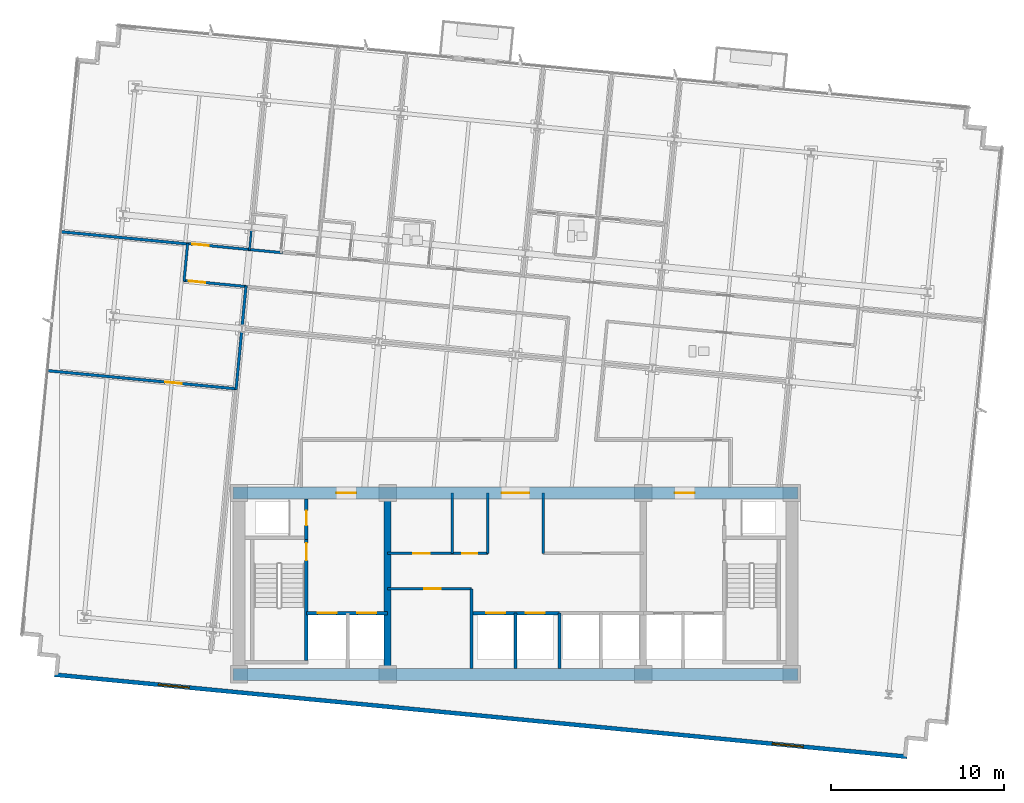
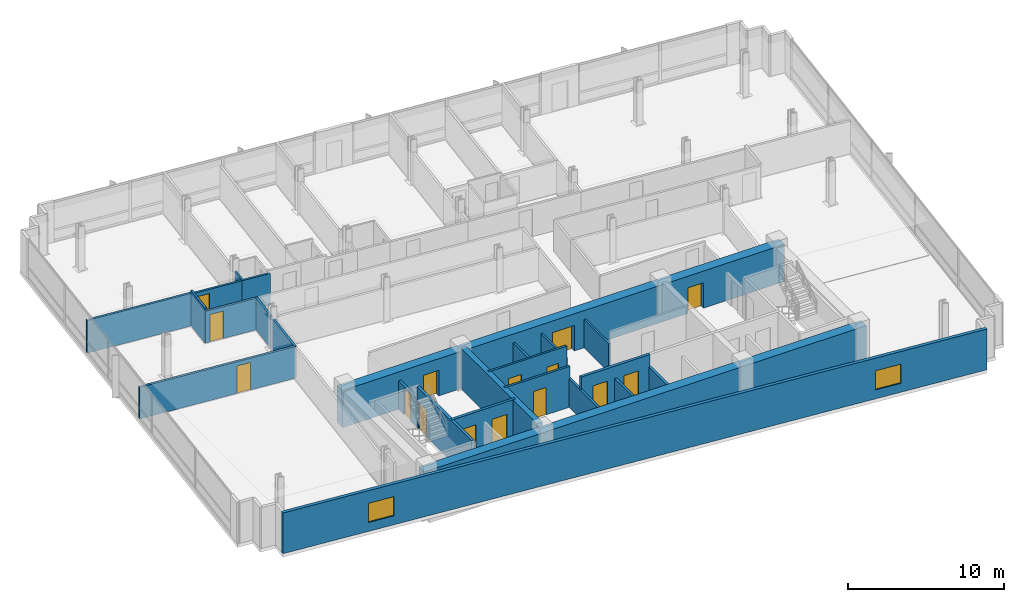
# One storey, part 10 of 17: 25 walls, 15 doors, 2 windows, 17 openings.
"""IFC4 building model written with IfcOpenShell, lengths in metres."""

from ifc_helpers import new_model, si_unit, direction, frame, frame_2d, origin, place, context, subcontext, project, spatial, rectangle, extrude, material, layer, layer_set, type_object, element, fill, save


model = new_model("IFC4")

# Units and contexts
model_context = context("Model", 3, precision=1e-05, world=origin(), true_north=direction((0.0, 1.0)))
body_context = subcontext(model_context, "Body", "Model", "MODEL_VIEW")
ifc_project = project(units=[si_unit("LENGTHUNIT", "METRE"), si_unit("AREAUNIT", "SQUARE_METRE"), si_unit("VOLUMEUNIT", "CUBIC_METRE"), si_unit("PLANEANGLEUNIT", "RADIAN"), si_unit("MASSUNIT", "GRAM", prefix="KILO")], contexts=[model_context])

# Site, building, storey
site_placement = place(None, origin())
site = spatial("IfcSite", under=ifc_project, at=site_placement, CompositionType="ELEMENT")
building_placement = place(site_placement, origin())
building = spatial("IfcBuilding", under=site, at=building_placement, Name="Solmavex Isthmus Hotel", CompositionType="ELEMENT")
storey_placement = place(building_placement, frame((0.0, 0.0, 153.14990234375)))
storey = spatial("IfcBuildingStorey", under=building, at=storey_placement, Name="L41", CompositionType="ELEMENT", Elevation=153.14990234375)

# Wall, openings, windows
ifc_material_1 = material(Name="Precast Concrete C40/50", Category="concrete")
ifc_layer_1 = layer(ifc_material_1, 0.25)
ifc_layer_set_1 = layer_set([ifc_layer_1], Name="Precast Concrete C40/50")
wall_type_1 = type_object("IfcWallType", Name="EW-TWR-250", PredefinedType="STANDARD", material=ifc_layer_set_1)
wall_1_placement = place(storey_placement, frame((-26.6953125, -13.01611328125, 0.0), z_axis=(0.0, 0.0, 1.0), x_axis=(0.995396268366, -0.095845025554, 0.0)))
wall_1 = element("IfcWall", 1, at=wall_1_placement, inside=storey, type_object=wall_type_1, Name="Tower Rear South Facade Wall L41", PredefinedType="STANDARD", context=body_context, shape_type="SweptSolid", body=[
    extrude(rectangle(XDim=49.599853515625, YDim=0.239990234375, at=frame_2d((24.7998046875, 0.0))), origin(), (0.0, 0.0, 1.0), 3.190185546875),
])
opening_1_placement = place(wall_1_placement, frame((6.0439453125, 0.0, 0.699951171875)))
opening_1 = element("IfcOpeningElement", 2, at=opening_1_placement, cuts=wall_1, Name="Opening WN-02", PredefinedType="OPENING", context=body_context, shape_type="SweptSolid", body=[
    extrude(rectangle(XDim=1.800048828125, YDim=1.5, at=frame_2d((0.89990234375, 0.75))), frame((0.0, 0.1298828125, 0.0), z_axis=(0.0, -1.0, 0.0), x_axis=(1.0, 0.0, 0.0)), (0.0, 0.0, 1.0), 0.260009765625),
])
opening_2_placement = place(wall_1_placement, frame((41.756103515625, 0.0, 0.699951171875)))
opening_2 = element("IfcOpeningElement", 3, at=opening_2_placement, cuts=wall_1, Name="Opening WN-02", PredefinedType="OPENING", context=body_context, shape_type="SweptSolid", body=[
    extrude(rectangle(XDim=1.800048828125, YDim=1.5, at=frame_2d((0.89990234375, 0.75))), frame((0.0, 0.1298828125, 0.0), z_axis=(0.0, -1.0, 0.0), x_axis=(1.0, 0.0, 0.0)), (0.0, 0.0, 1.0), 0.260009765625),
])
ifc_material_2 = material(Name="Clear low-E laminated glass", Category="glass")
window_type = type_object("IfcWindowType", Name="WIN-TWR-1800", PartitioningType="SINGLE_PANEL", PredefinedType="WINDOW", material=ifc_material_2)
window_1_placement = place(opening_1_placement, origin())
window_1 = element("IfcWindow", 4, at=window_1_placement, inside=storey, type_object=window_type, Name="South Facade Vision Window L41-S1", OverallHeight=1.5, OverallWidth=1.800048828125, PartitioningType="SINGLE_PANEL", PredefinedType="WINDOW", context=body_context, shape_type="SweptSolid", body=[
    extrude(rectangle(XDim=1.800048828125, YDim=1.5, at=frame_2d((0.89990234375, 0.75))), frame((0.0, 0.030029296875, 0.0), z_axis=(0.0, -1.0, 0.0), x_axis=(1.0, 0.0, 0.0)), (0.0, 0.0, 1.0), 0.06005859375),
])
fill(opening_1, window_1)
window_2_placement = place(opening_2_placement, origin())
window_2 = element("IfcWindow", 5, at=window_2_placement, inside=storey, type_object=window_type, Name="South Facade Vision Window L41-S2", OverallHeight=1.5, OverallWidth=1.800048828125, PartitioningType="SINGLE_PANEL", PredefinedType="WINDOW", context=body_context, shape_type="SweptSolid", body=[
    extrude(rectangle(XDim=1.800048828125, YDim=1.5, at=frame_2d((0.89990234375, 0.75))), frame((0.0, 0.030029296875, 0.0), z_axis=(0.0, -1.0, 0.0), x_axis=(1.0, 0.0, 0.0)), (0.0, 0.0, 1.0), 0.06005859375),
])
fill(opening_2, window_2)

# Wall, opening, door
ifc_material_3 = material(Name="Gypsum plasterboard lining", Category="gypsum")
ifc_layer_2 = layer(ifc_material_3, 0.159912109375)
ifc_layer_set_2 = layer_set([ifc_layer_2], Name="Gypsum plasterboard lining")
wall_type_2 = type_object("IfcWallType", Name="IW-COMP-160", PredefinedType="PARTITIONING", material=ifc_layer_set_2)
wall_2_placement = place(storey_placement, frame((-7.39990234375, -8.050048828125, 0.0), z_axis=(0.0, 0.0, 1.0), x_axis=(1.0, 0.0, 0.0)))
wall_2 = element("IfcWall", 6, at=wall_2_placement, inside=storey, type_object=wall_type_2, Name="Interior Partition Wall W-L41-REC-PLL-N", PredefinedType="PARTITIONING", context=body_context, shape_type="SweptSolid", body=[
    extrude(rectangle(XDim=4.849853515625, YDim=0.159912109375, at=frame_2d((2.4248046875, 0.0))), origin(), (0.0, 0.0, 1.0), 3.190185546875),
])
opening_3_placement = place(wall_2_placement, frame((2.125, 0.0, 0.0)))
opening_3 = element("IfcOpeningElement", 7, at=opening_3_placement, cuts=wall_2, Name="Opening ID-C095", PredefinedType="OPENING", context=body_context, shape_type="SweptSolid", body=[
    extrude(rectangle(XDim=0.949951171875, YDim=2.14990234375, at=frame_2d((0.47509765625, 1.074951171875))), frame((0.0, 0.08984375, 0.0), z_axis=(0.0, -1.0, 0.0), x_axis=(1.0, 0.0, 0.0)), (0.0, 0.0, 1.0), 0.179931640625),
])
ifc_material_4 = material(Name="Hardwood timber", Category="wood")
door_type_1 = type_object("IfcDoorType", Name="IDR-FD60-0950", OperationType="NOTDEFINED", PredefinedType="DOOR", material=ifc_material_4)
door_1_placement = place(opening_3_placement, origin())
door_1 = element("IfcDoor", 8, at=door_1_placement, inside=storey, type_object=door_type_1, Name="Linen Reserve Door L41", OperationType="SINGLE_SWING_LEFT", OverallHeight=2.14990234375, OverallWidth=0.949951171875, PredefinedType="DOOR", context=body_context, shape_type="SweptSolid", body=[
    extrude(rectangle(XDim=0.949951171875, YDim=2.14990234375, at=frame_2d((0.47509765625, 1.074951171875))), frame((0.0, 0.02490234375, 0.0), z_axis=(0.0, -1.0, 0.0), x_axis=(1.0, 0.0, 0.0)), (0.0, 0.0, 1.0), 0.050048828125),
])
fill(opening_3, door_1)

# Walls
wall_3_placement = place(storey_placement, frame((-2.550048828125, -12.64990234375, 0.0), z_axis=(0.0, 0.0, 1.0), x_axis=(0.0, 1.0, 0.0)))
element("IfcWall", 9, at=wall_3_placement, inside=storey, type_object=wall_type_2, Name="Interior Partition Wall W-L41-REC-PLL-E", PredefinedType="PARTITIONING", context=body_context, shape_type="SweptSolid", body=[
    extrude(rectangle(XDim=4.599853515625, YDim=0.159912109375, at=frame_2d((2.2998046875, 0.0))), origin(), (0.0, 0.0, 1.0), 2.22509765625),
])
wall_4_placement = place(storey_placement, frame((-18.942138671875, 11.91552734375, 0.0), z_axis=(0.0, 0.0, 1.0), x_axis=(-0.995395927026, 0.095848570461, 0.0)))
element("IfcWall", 10, at=wall_4_placement, inside=storey, type_object=wall_type_2, Name="Interior Partition Wall W-L41-P027", PredefinedType="PARTITIONING", context=body_context, shape_type="SweptSolid", body=[
    extrude(rectangle(XDim=7.44775390625, YDim=0.159912109375, at=frame_2d((3.723876953125, 0.0))), origin(), (0.0, 0.0, 1.0), 2.5576171875),
])
wall_5_placement = place(storey_placement, frame((-15.820556640625, 7.190673828125, 0.0), z_axis=(0.0, 0.0, 1.0), x_axis=(0.09580488871, 0.995400132258, 0.0)))
element("IfcWall", 11, at=wall_5_placement, inside=storey, type_object=wall_type_2, Name="Interior Partition Wall W-L41-P059", PredefinedType="PARTITIONING", context=body_context, shape_type="SweptSolid", body=[
    extrude(rectangle(XDim=2.31396484375, YDim=0.159912109375, at=frame_2d((1.156982421875, 0.0))), origin(), (0.0, 0.0, 1.0), 2.4794921875),
])
wall_6_placement = place(storey_placement, frame((-15.854248046875, 6.84033203125, 0.0), z_axis=(0.0, 0.0, 1.0), x_axis=(-0.095867281951, -0.995394125084, 0.0)))
element("IfcWall", 12, at=wall_6_placement, inside=storey, type_object=wall_type_2, Name="Interior Partition Wall W-L41-P064", PredefinedType="PARTITIONING", context=body_context, shape_type="SweptSolid", body=[
    extrude(rectangle(XDim=3.364013671875, YDim=0.159912109375, at=frame_2d((1.68212890625, 0.0))), origin(), (0.0, 0.0, 1.0), 2.4794921875),
])

# Wall, opening, door
wall_7_placement = place(storey_placement, frame((-16.133056640625, 3.52783203125, 0.0), z_axis=(0.0, 0.0, 1.0), x_axis=(-0.99539691551, 0.095838304419, 0.0)))
wall_7 = element("IfcWall", 13, at=wall_7_placement, inside=storey, type_object=wall_type_2, Name="Interior Partition Wall W-L41-P065", PredefinedType="PARTITIONING", context=body_context, shape_type="SweptSolid", body=[
    extrude(rectangle(XDim=11.048095703125, YDim=0.159912109375, at=frame_2d((5.52392578125, 0.0))), origin(), (0.0, 0.0, 1.0), 2.4794921875),
])
opening_4_placement = place(wall_7_placement, frame((3.206298828125, 0.0, 0.0)))
opening_4 = element("IfcOpeningElement", 14, at=opening_4_placement, cuts=wall_7, Name="Opening ID-C095", PredefinedType="OPENING", context=body_context, shape_type="SweptSolid", body=[
    extrude(rectangle(XDim=0.949951171875, YDim=2.14990234375, at=frame_2d((0.47509765625, 1.074951171875))), frame((0.0, 0.08984375, 0.0), z_axis=(0.0, -1.0, 0.0), x_axis=(1.0, 0.0, 0.0)), (0.0, 0.0, 1.0), 0.179931640625),
])
door_2_placement = place(opening_4_placement, origin())
door_2 = element("IfcDoor", 15, at=door_2_placement, inside=storey, type_object=door_type_1, Name="Corporate Briefing Office Door L41-19", OperationType="SINGLE_SWING_LEFT", OverallHeight=2.14990234375, OverallWidth=0.949951171875, PredefinedType="DOOR", context=body_context, shape_type="SweptSolid", body=[
    extrude(rectangle(XDim=0.949951171875, YDim=2.14990234375, at=frame_2d((0.47509765625, 1.074951171875))), frame((0.0, 0.02490234375, 0.0), z_axis=(0.0, -1.0, 0.0), x_axis=(1.0, 0.0, 0.0)), (0.0, 0.0, 1.0), 0.050048828125),
])
fill(opening_4, door_2)

# Wall, openings, doors
ifc_layer_3 = layer(ifc_material_3, 0.14990234375)
ifc_layer_set_3 = layer_set([ifc_layer_3], Name="Gypsum plasterboard lining")
wall_type_3 = type_object("IfcWallType", Name="IW-CORR-150", PredefinedType="PARTITIONING", material=ifc_layer_set_3)
wall_8_placement = place(storey_placement, frame((-7.39990234375, -6.0, 0.0), z_axis=(0.0, 0.0, 1.0), x_axis=(1.0, 0.0, 0.0)))
wall_8 = element("IfcWall", 16, at=wall_8_placement, inside=storey, type_object=wall_type_3, Name="Interior Partition Wall W-L41-BOH-WS", PredefinedType="PARTITIONING", context=body_context, shape_type="SweptSolid", body=[
    extrude(rectangle(XDim=5.7998046875, YDim=0.14990234375, at=frame_2d((2.89990234375, 0.0))), origin(), (0.0, 0.0, 1.0), 3.190185546875),
])
opening_5_placement = place(wall_8_placement, frame((1.47509765625, 0.0, 0.0)))
opening_5 = element("IfcOpeningElement", 17, at=opening_5_placement, cuts=wall_8, Name="Opening ID-C095", PredefinedType="OPENING", context=body_context, shape_type="SweptSolid", body=[
    extrude(rectangle(XDim=0.949951171875, YDim=2.14990234375, at=frame_2d((0.47509765625, 1.074951171875))), frame((0.0, 0.0849609375, 0.0), z_axis=(0.0, -1.0, 0.0), x_axis=(1.0, 0.0, 0.0)), (0.0, 0.0, 1.0), 0.169921875),
])
opening_6_placement = place(wall_8_placement, frame((4.324951171875, 0.0, 0.0)))
opening_6 = element("IfcOpeningElement", 18, at=opening_6_placement, cuts=wall_8, Name="Opening ID-R085", PredefinedType="OPENING", context=body_context, shape_type="SweptSolid", body=[
    extrude(rectangle(XDim=0.85009765625, YDim=2.050048828125, at=frame_2d((0.425048828125, 1.02490234375))), frame((0.0, 0.0849609375, 0.0), z_axis=(0.0, -1.0, 0.0), x_axis=(1.0, 0.0, 0.0)), (0.0, 0.0, 1.0), 0.169921875),
])
ifc_material_5 = material(Name="Steel ASTM A500 Grade C", Category="steel")
door_type_2 = type_object("IfcDoorType", Name="IDR-FD60-0850", OperationType="NOTDEFINED", PredefinedType="DOOR", material=ifc_material_5)
door_3_placement = place(opening_6_placement, frame((0.85009765625, 0.0, 0.0), z_axis=(0.0, 0.0, 1.0), x_axis=(-1.0, 0.0, 0.0)))
door_3 = element("IfcDoor", 19, at=door_3_placement, inside=storey, type_object=door_type_2, Name="Cleaner Closet Door L41", OperationType="SINGLE_SWING_RIGHT", OverallHeight=2.050048828125, OverallWidth=0.85009765625, PredefinedType="DOOR", context=body_context, shape_type="SweptSolid", body=[
    extrude(rectangle(XDim=0.85009765625, YDim=2.050048828125, at=frame_2d((0.425048828125, 1.02490234375))), frame((0.0, 0.02490234375, 0.0), z_axis=(0.0, -1.0, 0.0), x_axis=(1.0, 0.0, 0.0)), (0.0, 0.0, 1.0), 0.050048828125),
])
fill(opening_6, door_3)
door_4_placement = place(opening_5_placement, frame((0.949951171875, 0.0, 0.0), z_axis=(0.0, 0.0, 1.0), x_axis=(-1.0, 0.0, 0.0)))
door_4 = element("IfcDoor", 20, at=door_4_placement, inside=storey, type_object=door_type_1, Name="Housekeeping Store Door L41", OperationType="SINGLE_SWING_LEFT", OverallHeight=2.14990234375, OverallWidth=0.949951171875, PredefinedType="DOOR", context=body_context, shape_type="SweptSolid", body=[
    extrude(rectangle(XDim=0.949951171875, YDim=2.14990234375, at=frame_2d((0.47509765625, 1.074951171875))), frame((0.0, 0.02490234375, 0.0), z_axis=(0.0, -1.0, 0.0), x_axis=(1.0, 0.0, 0.0)), (0.0, 0.0, 1.0), 0.050048828125),
])
fill(opening_5, door_4)

# Walls
for number, where, z_axis, x_axis, name in (
    (21, (-1.60009765625, -6.0, 0.0), (0.0, 0.0, 1.0), (0.0, 1.0, 0.0), "Interior Partition Wall W-L41-BOH-WE"),
    (22, (1.60009765625, -6.0, 0.0), (0.0, 0.0, 1.0), (0.0, 1.0, 0.0), "Interior Partition Wall W-L41-BOH-EW"),
):
    element("IfcWall", number, at=place(storey_placement, frame(where, z_axis=z_axis, x_axis=x_axis)), inside=storey, type_object=wall_type_3, Name=name, PredefinedType="PARTITIONING", context=body_context, shape_type="SweptSolid", body=[
        extrude(rectangle(XDim=3.5, YDim=0.14990234375, at=frame_2d((1.75, 0.0))), origin(), (0.0, 0.0, 1.0), 2.22509765625),
    ])

# Wall, opening, door
wall_9_placement = place(storey_placement, frame((-19.019775390625, 11.943115234375, 0.0), z_axis=(0.0, 0.0, 1.0), x_axis=(0.995397364202, -0.095833644092, 0.0)))
wall_9 = element("IfcWall", 23, at=wall_9_placement, inside=storey, type_object=wall_type_3, Name="Interior Partition Wall W-L41-P001", PredefinedType="PARTITIONING", context=body_context, shape_type="SweptSolid", body=[
    extrude(rectangle(XDim=3.721923828125, YDim=0.14990234375, at=frame_2d((1.86083984375, 0.0))), origin(), (0.0, 0.0, 1.0), 2.4794921875),
])
opening_7_placement = place(wall_9_placement, frame((0.315185546875, 0.0, 0.0)))
opening_7 = element("IfcOpeningElement", 24, at=opening_7_placement, cuts=wall_9, Name="Opening ID-C095", PredefinedType="OPENING", context=body_context, shape_type="SweptSolid", body=[
    extrude(rectangle(XDim=0.949951171875, YDim=2.14990234375, at=frame_2d((0.47509765625, 1.074951171875))), frame((0.0, 0.0849609375, 0.0), z_axis=(0.0, -1.0, 0.0), x_axis=(1.0, 0.0, 0.0)), (0.0, 0.0, 1.0), 0.169921875),
])
door_5_placement = place(opening_7_placement, frame((0.949951171875, 0.0, 0.0), z_axis=(0.0, 0.0, 1.0), x_axis=(-1.0, 0.0, 0.0)))
door_5 = element("IfcDoor", 25, at=door_5_placement, inside=storey, type_object=door_type_1, Name="Executive Hospitality Lounge Door L41-01", OperationType="SINGLE_SWING_LEFT", OverallHeight=2.14990234375, OverallWidth=0.949951171875, PredefinedType="DOOR", context=body_context, shape_type="SweptSolid", body=[
    extrude(rectangle(XDim=0.949951171875, YDim=2.14990234375, at=frame_2d((0.47509765625, 1.074951171875))), frame((0.0, 0.02490234375, 0.0), z_axis=(0.0, -1.0, 0.0), x_axis=(1.0, 0.0, 0.0)), (0.0, 0.0, 1.0), 0.050048828125),
])
fill(opening_7, door_5)

# Wall
wall_10_placement = place(storey_placement, frame((-15.478271484375, 11.60205078125, 0.0), z_axis=(0.0, 0.0, 1.0), x_axis=(0.995394211968, -0.095866379824, 0.0)))
element("IfcWall", 26, at=wall_10_placement, inside=storey, type_object=wall_type_3, Name="Interior Partition Wall W-L41-P003", PredefinedType="PARTITIONING", context=body_context, shape_type="SweptSolid", body=[
    extrude(rectangle(XDim=1.994140625, YDim=0.14990234375, at=frame_2d((0.9970703125, 0.0))), origin(), (0.0, 0.0, 1.0), 2.4794921875),
])

# Wall, opening, door
wall_11_placement = place(storey_placement, frame((-15.52099609375, 9.4462890625, 0.0), z_axis=(0.0, 0.0, 1.0), x_axis=(-0.995397364202, 0.095833644092, 0.0)))
wall_11 = element("IfcWall", 27, at=wall_11_placement, inside=storey, type_object=wall_type_3, Name="Interior Partition Wall W-L41-P017", PredefinedType="PARTITIONING", context=body_context, shape_type="SweptSolid", body=[
    extrude(rectangle(XDim=3.721923828125, YDim=0.14990234375, at=frame_2d((1.86083984375, 0.0))), origin(), (0.0, 0.0, 1.0), 2.4794921875),
])
opening_8_placement = place(wall_11_placement, frame((2.456787109375, 0.0, 0.0)))
opening_8 = element("IfcOpeningElement", 28, at=opening_8_placement, cuts=wall_11, Name="Opening ID-C095", PredefinedType="OPENING", context=body_context, shape_type="SweptSolid", body=[
    extrude(rectangle(XDim=0.949951171875, YDim=2.14990234375, at=frame_2d((0.47509765625, 1.074951171875))), frame((0.0, 0.0849609375, 0.0), z_axis=(0.0, -1.0, 0.0), x_axis=(1.0, 0.0, 0.0)), (0.0, 0.0, 1.0), 0.169921875),
])
door_6_placement = place(opening_8_placement, frame((0.949951171875, 0.0, 0.0), z_axis=(0.0, 0.0, 1.0), x_axis=(-1.0, 0.0, 0.0)))
door_6 = element("IfcDoor", 29, at=door_6_placement, inside=storey, type_object=door_type_1, Name="Executive Hospitality Lounge Door L41-16", OperationType="SINGLE_SWING_RIGHT", OverallHeight=2.14990234375, OverallWidth=0.949951171875, PredefinedType="DOOR", context=body_context, shape_type="SweptSolid", body=[
    extrude(rectangle(XDim=0.949951171875, YDim=2.14990234375, at=frame_2d((0.47509765625, 1.074951171875))), frame((0.0, 0.02490234375, 0.0), z_axis=(0.0, -1.0, 0.0), x_axis=(1.0, 0.0, 0.0)), (0.0, 0.0, 1.0), 0.050048828125),
])
fill(opening_8, door_6)

# Walls
wall_12_placement = place(storey_placement, frame((-19.18994140625, 9.75927734375, 0.0), z_axis=(0.0, 0.0, 1.0), x_axis=(0.095882898123, 0.995392620953, 0.0)))
element("IfcWall", 30, at=wall_12_placement, inside=storey, type_object=wall_type_3, Name="Interior Partition Wall W-L41-P018", PredefinedType="PARTITIONING", context=body_context, shape_type="SweptSolid", body=[
    extrude(rectangle(XDim=2.210205078125, YDim=0.14990234375, at=frame_2d((1.10498046875, 0.0))), origin(), (0.0, 0.0, 1.0), 2.71826171875),
])
ifc_layer_4 = layer(ifc_material_3, 0.1201171875)
ifc_layer_set_4 = layer_set([ifc_layer_4], Name="Gypsum plasterboard lining")
wall_type_4 = type_object("IfcWallType", Name="IW-PART-120", PredefinedType="PARTITIONING", material=ifc_layer_set_4)
wall_13_placement = place(storey_placement, frame((-3.64990234375, -6.0, 0.0), z_axis=(0.0, 0.0, 1.0), x_axis=(0.0, 1.0, 0.0)))
element("IfcWall", 31, at=wall_13_placement, inside=storey, type_object=wall_type_4, Name="Interior Partition Wall W-L41-BOH-WM1", PredefinedType="PARTITIONING", context=body_context, shape_type="SweptSolid", body=[
    extrude(rectangle(XDim=3.5, YDim=0.14990234375, at=frame_2d((1.75, 0.0))), origin(), (0.0, 0.0, 1.0), 2.22509765625),
])
wall_14_placement = place(storey_placement, frame((-15.2880859375, 12.720947265625, 0.0), z_axis=(0.0, 0.0, 1.0), x_axis=(-0.095831494917, -0.995397571115, 0.0)))
element("IfcWall", 32, at=wall_14_placement, inside=storey, type_object=wall_type_4, Name="Interior Partition Wall W-L41-P026", PredefinedType="PARTITIONING", context=body_context, shape_type="SweptSolid", body=[
    extrude(rectangle(XDim=1.171875, YDim=0.1201171875, at=frame_2d((0.5859375, 0.0))), origin(), (0.0, 0.0, 1.0), 2.4794921875),
])
ifc_material_6 = material(Name="Concrete C40/50", Category="concrete")
ifc_layer_5 = layer(ifc_material_6, 0.179931640625)
ifc_layer_set_5 = layer_set([ifc_layer_5], Name="Concrete C40/50")
wall_type_5 = type_object("IfcWallType", Name="IW-SHAFT-180", PredefinedType="PARTITIONING", material=ifc_layer_set_5)
wall_15_placement = place(storey_placement, frame((0.0, -12.64990234375, 0.0), z_axis=(0.0, 0.0, 1.0), x_axis=(0.0, 1.0, 0.0)))
element("IfcWall", 33, at=wall_15_placement, inside=storey, type_object=wall_type_5, Name="Interior Partition Wall W-L41-SH-PLM-M", PredefinedType="PARTITIONING", context=body_context, shape_type="SweptSolid", body=[
    extrude(rectangle(XDim=3.199951171875, YDim=0.179931640625, at=frame_2d((1.60009765625, 0.0))), origin(), (0.0, 0.0, 1.0), 2.22509765625),
])

# Wall, opening, door
ifc_layer_6 = layer(ifc_material_6, 0.199951171875)
ifc_layer_set_6 = layer_set([ifc_layer_6], Name="Concrete C40/50")
wall_type_6 = type_object("IfcWallType", Name="IW-SHAFT-200", PredefinedType="PARTITIONING", material=ifc_layer_set_6)
wall_16_placement = place(storey_placement, frame((-12.10009765625, -5.199951171875, 0.0), z_axis=(0.0, 0.0, 1.0), x_axis=(0.0, 1.0, 0.0)))
wall_16 = element("IfcWall", 34, at=wall_16_placement, inside=storey, type_object=wall_type_6, Name="Interior Partition Wall W-L41-RSW-E", PredefinedType="PARTITIONING", context=body_context, shape_type="SweptSolid", body=[
    extrude(rectangle(XDim=2.349853515625, YDim=0.199951171875, at=frame_2d((1.1748046875, 0.0))), origin(), (0.0, 0.0, 1.0), 2.22509765625),
])
opening_9_placement = place(wall_16_placement, frame((0.824951171875, 0.0, 0.0)))
opening_9 = element("IfcOpeningElement", 35, at=opening_9_placement, cuts=wall_16, Name="Opening ID-R085", PredefinedType="OPENING", context=body_context, shape_type="SweptSolid", body=[
    extrude(rectangle(XDim=0.85009765625, YDim=2.050048828125, at=frame_2d((0.425048828125, 1.02490234375))), frame((0.0, 0.10986328125, 0.0), z_axis=(0.0, -1.0, 0.0), x_axis=(1.0, 0.0, 0.0)), (0.0, 0.0, 1.0), 0.219970703125),
])
door_7_placement = place(opening_9_placement, origin())
door_7 = element("IfcDoor", 36, at=door_7_placement, inside=storey, type_object=door_type_2, Name="Electrical Riser Door L41", OperationType="SINGLE_SWING_RIGHT", OverallHeight=2.050048828125, OverallWidth=0.85009765625, PredefinedType="DOOR", context=body_context, shape_type="SweptSolid", body=[
    extrude(rectangle(XDim=0.85009765625, YDim=2.050048828125, at=frame_2d((0.425048828125, 1.02490234375))), frame((0.0, 0.02490234375, 0.0), z_axis=(0.0, -1.0, 0.0), x_axis=(1.0, 0.0, 0.0)), (0.0, 0.0, 1.0), 0.050048828125),
])
fill(opening_9, door_7)

# Wall, openings, doors
wall_17_placement = place(storey_placement, frame((-12.10009765625, -9.449951171875, 0.0), z_axis=(0.0, 0.0, 1.0), x_axis=(1.0, 0.0, 0.0)))
wall_17 = element("IfcWall", 37, at=wall_17_placement, inside=storey, type_object=wall_type_6, Name="Interior Partition Wall W-L41-FFLW-S", PredefinedType="PARTITIONING", context=body_context, shape_type="SweptSolid", body=[
    extrude(rectangle(XDim=4.7001953125, YDim=0.199951171875, at=frame_2d((2.35009765625, 0.0))), origin(), (0.0, 0.0, 1.0), 3.190185546875),
])
opening_10_placement = place(wall_17_placement, frame((0.64990234375, 0.0, 0.0)))
opening_10 = element("IfcOpeningElement", 38, at=opening_10_placement, cuts=wall_17, Name="Opening LD-FF", PredefinedType="OPENING", context=body_context, shape_type="SweptSolid", body=[
    extrude(rectangle(XDim=1.10009765625, YDim=2.199951171875, at=frame_2d((0.550048828125, 1.10009765625))), frame((0.0, 0.10986328125, 0.0), z_axis=(0.0, -1.0, 0.0), x_axis=(1.0, 0.0, 0.0)), (0.0, 0.0, 1.0), 0.219970703125),
])
opening_11_placement = place(wall_17_placement, frame((2.949951171875, 0.0, 0.0)))
opening_11 = element("IfcOpeningElement", 39, at=opening_11_placement, cuts=wall_17, Name="Opening LD-SV", PredefinedType="OPENING", context=body_context, shape_type="SweptSolid", body=[
    extrude(rectangle(XDim=1.10009765625, YDim=2.199951171875, at=frame_2d((0.550048828125, 1.10009765625))), frame((0.0, 0.10986328125, 0.0), z_axis=(0.0, -1.0, 0.0), x_axis=(1.0, 0.0, 0.0)), (0.0, 0.0, 1.0), 0.219970703125),
])
ifc_material_7 = material(Name="Stainless steel 316", Category="steel")
door_type_3 = type_object("IfcDoorType", Name="LDR-FF-1100", OperationType="NOTDEFINED", PredefinedType="DOOR", material=ifc_material_7)
door_8_placement = place(opening_10_placement, origin())
door_8 = element("IfcDoor", 40, at=door_8_placement, inside=storey, type_object=door_type_3, Name="Lift Landing Door FFL-1 L41", OperationType="SLIDING_TO_LEFT", OverallHeight=2.199951171875, OverallWidth=1.10009765625, PredefinedType="DOOR", context=body_context, shape_type="SweptSolid", body=[
    extrude(rectangle(XDim=1.10009765625, YDim=2.199951171875, at=frame_2d((0.550048828125, 1.10009765625))), frame((0.0, 0.02490234375, 0.0), z_axis=(0.0, -1.0, 0.0), x_axis=(1.0, 0.0, 0.0)), (0.0, 0.0, 1.0), 0.050048828125),
])
fill(opening_10, door_8)
door_type_4 = type_object("IfcDoorType", Name="LDR-SV-1100", OperationType="NOTDEFINED", PredefinedType="DOOR", material=ifc_material_7)
door_9_placement = place(opening_11_placement, origin())
door_9 = element("IfcDoor", 41, at=door_9_placement, inside=storey, type_object=door_type_4, Name="Lift Landing Door SVL-1 L41", OperationType="SLIDING_TO_RIGHT", OverallHeight=2.199951171875, OverallWidth=1.10009765625, PredefinedType="DOOR", context=body_context, shape_type="SweptSolid", body=[
    extrude(rectangle(XDim=1.10009765625, YDim=2.199951171875, at=frame_2d((0.550048828125, 1.10009765625))), frame((0.0, 0.02490234375, 0.0), z_axis=(0.0, -1.0, 0.0), x_axis=(1.0, 0.0, 0.0)), (0.0, 0.0, 1.0), 0.050048828125),
])
fill(opening_11, door_9)

wall_18_placement = place(storey_placement, frame((-2.550048828125, -9.449951171875, 0.0), z_axis=(0.0, 0.0, 1.0), x_axis=(1.0, 0.0, 0.0)))
wall_18 = element("IfcWall", 42, at=wall_18_placement, inside=storey, type_object=wall_type_6, Name="Interior Partition Wall W-L41-SH-PLM", PredefinedType="PARTITIONING", context=body_context, shape_type="SweptSolid", body=[
    extrude(rectangle(XDim=5.10009765625, YDim=0.199951171875, at=frame_2d((2.550048828125, 0.0))), origin(), (0.0, 0.0, 1.0), 3.190185546875),
])
opening_12_placement = place(wall_18_placement, frame((0.85009765625, 0.0, 0.0)))
opening_12 = element("IfcOpeningElement", 43, at=opening_12_placement, cuts=wall_18, Name="Opening LD-PL", PredefinedType="OPENING", context=body_context, shape_type="SweptSolid", body=[
    extrude(rectangle(XDim=1.10009765625, YDim=2.199951171875, at=frame_2d((0.550048828125, 1.10009765625))), frame((0.0, 0.10986328125, 0.0), z_axis=(0.0, -1.0, 0.0), x_axis=(1.0, 0.0, 0.0)), (0.0, 0.0, 1.0), 0.219970703125),
])
opening_13_placement = place(wall_18_placement, frame((3.14990234375, 0.0, 0.0)))
opening_13 = element("IfcOpeningElement", 44, at=opening_13_placement, cuts=wall_18, Name="Opening LD-PL", PredefinedType="OPENING", context=body_context, shape_type="SweptSolid", body=[
    extrude(rectangle(XDim=1.10009765625, YDim=2.199951171875, at=frame_2d((0.550048828125, 1.10009765625))), frame((0.0, 0.10986328125, 0.0), z_axis=(0.0, -1.0, 0.0), x_axis=(1.0, 0.0, 0.0)), (0.0, 0.0, 1.0), 0.219970703125),
])
door_type_5 = type_object("IfcDoorType", Name="LDR-PL-1100", OperationType="NOTDEFINED", PredefinedType="DOOR", material=ifc_material_7)
door_10_placement = place(opening_12_placement, origin())
door_10 = element("IfcDoor", 45, at=door_10_placement, inside=storey, type_object=door_type_5, Name="Lift Landing Door PLM1 L41", OperationType="SLIDING_TO_RIGHT", OverallHeight=2.199951171875, OverallWidth=1.10009765625, PredefinedType="DOOR", context=body_context, shape_type="SweptSolid", body=[
    extrude(rectangle(XDim=1.10009765625, YDim=2.199951171875, at=frame_2d((0.550048828125, 1.10009765625))), frame((0.0, 0.02490234375, 0.0), z_axis=(0.0, -1.0, 0.0), x_axis=(1.0, 0.0, 0.0)), (0.0, 0.0, 1.0), 0.050048828125),
])
fill(opening_12, door_10)
door_11_placement = place(opening_13_placement, origin())
door_11 = element("IfcDoor", 46, at=door_11_placement, inside=storey, type_object=door_type_5, Name="Lift Landing Door PLM2 L41", OperationType="SLIDING_TO_RIGHT", OverallHeight=2.199951171875, OverallWidth=1.10009765625, PredefinedType="DOOR", context=body_context, shape_type="SweptSolid", body=[
    extrude(rectangle(XDim=1.10009765625, YDim=2.199951171875, at=frame_2d((0.550048828125, 1.10009765625))), frame((0.0, 0.02490234375, 0.0), z_axis=(0.0, -1.0, 0.0), x_axis=(1.0, 0.0, 0.0)), (0.0, 0.0, 1.0), 0.050048828125),
])
fill(opening_13, door_11)

# Walls
wall_19_placement = place(storey_placement, frame((2.550048828125, -12.64990234375, 0.0), z_axis=(0.0, 0.0, 1.0), x_axis=(0.0, 1.0, 0.0)))
element("IfcWall", 47, at=wall_19_placement, inside=storey, type_object=wall_type_6, Name="Interior Partition Wall W-L41-SH-PLM-E", PredefinedType="PARTITIONING", context=body_context, shape_type="SweptSolid", body=[
    extrude(rectangle(XDim=3.199951171875, YDim=0.199951171875, at=frame_2d((1.60009765625, 0.0))), origin(), (0.0, 0.0, 1.0), 2.22509765625),
])
ifc_material_8 = material(Name="Concrete C60/75", Category="concrete")
ifc_layer_7 = layer(ifc_material_8, 0.39990234375)
ifc_layer_set_7 = layer_set([ifc_layer_7], Name="Concrete C60/75")
wall_type_7 = type_object("IfcWallType", Name="WALL-CW-400M", PredefinedType="SHEAR", material=ifc_layer_set_7)
wall_20_placement = place(storey_placement, frame((-7.39990234375, -12.64990234375, 0.0), z_axis=(0.0, 0.0, 1.0), x_axis=(0.0, 1.0, 0.0)))
element("IfcWall", 48, at=wall_20_placement, inside=storey, type_object=wall_type_7, Name="Core Cross Shear Wall C1 L41", PredefinedType="SHEAR", context=body_context, shape_type="SweptSolid", body=[
    extrude(rectangle(XDim=9.7998046875, YDim=0.39990234375, at=frame_2d((4.89990234375, 0.0))), origin(), (0.0, 0.0, 1.0), 3.190185546875),
])
ifc_layer_8 = layer(ifc_material_8, 0.699951171875)
ifc_layer_set_8 = layer_set([ifc_layer_8], Name="Concrete C60/75")
wall_type_8 = type_object("IfcWallType", Name="WALL-CW-700", PredefinedType="SHEAR", material=ifc_layer_set_8)
wall_21_placement = place(storey_placement, frame((-16.35009765625, -13.0, 0.0), z_axis=(0.0, 0.0, 1.0), x_axis=(1.0, 0.0, 0.0)))
element("IfcWall", 49, at=wall_21_placement, inside=storey, type_object=wall_type_8, Name="Core Shear Wall South L41", PredefinedType="SHEAR", context=body_context, shape_type="SweptSolid", body=[
    extrude(rectangle(XDim=32.7001953125, YDim=0.699951171875, at=frame_2d((16.35009765625, 0.0))), origin(), (0.0, 0.0, 1.0), 2.91015625),
])

# Wall, openings, doors
wall_22_placement = place(storey_placement, frame((-16.35009765625, -2.5, 0.0), z_axis=(0.0, 0.0, 1.0), x_axis=(1.0, 0.0, 0.0)))
wall_22 = element("IfcWall", 50, at=wall_22_placement, inside=storey, type_object=wall_type_8, Name="Core Shear Wall North L41", PredefinedType="SHEAR", context=body_context, shape_type="SweptSolid", body=[
    extrude(rectangle(XDim=32.7001953125, YDim=0.699951171875, at=frame_2d((16.35009765625, 0.0))), origin(), (0.0, 0.0, 1.0), 2.91015625),
])
opening_14_placement = place(wall_22_placement, frame((5.97509765625, 0.0, 0.0)))
opening_14 = element("IfcOpeningElement", 51, at=opening_14_placement, cuts=wall_22, Name="Opening ID-F915", PredefinedType="OPENING", context=body_context, shape_type="SweptSolid", body=[
    extrude(rectangle(XDim=1.14990234375, YDim=2.0, at=frame_2d((0.574951171875, 1.0))), frame((0.0, 0.35986328125, 0.0), z_axis=(0.0, -1.0, 0.0), x_axis=(1.0, 0.0, 0.0)), (0.0, 0.0, 1.0), 0.719970703125),
])
opening_15_placement = place(wall_22_placement, frame((15.550048828125, 0.0, 0.0)))
opening_15 = element("IfcOpeningElement", 52, at=opening_15_placement, cuts=wall_22, Name="Opening ID-F960", PredefinedType="OPENING", context=body_context, shape_type="SweptSolid", body=[
    extrude(rectangle(XDim=1.60009765625, YDim=2.0, at=frame_2d((0.800048828125, 1.0))), frame((0.0, 0.35986328125, 0.0), z_axis=(0.0, -1.0, 0.0), x_axis=(1.0, 0.0, 0.0)), (0.0, 0.0, 1.0), 0.719970703125),
])
opening_16_placement = place(wall_22_placement, frame((25.574951171875, 0.0, 0.0)))
opening_16 = element("IfcOpeningElement", 53, at=opening_16_placement, cuts=wall_22, Name="Opening ID-F915", PredefinedType="OPENING", context=body_context, shape_type="SweptSolid", body=[
    extrude(rectangle(XDim=1.14990234375, YDim=2.0, at=frame_2d((0.574951171875, 1.0))), frame((0.0, 0.35986328125, 0.0), z_axis=(0.0, -1.0, 0.0), x_axis=(1.0, 0.0, 0.0)), (0.0, 0.0, 1.0), 0.719970703125),
])
door_type_6 = type_object("IfcDoorType", Name="IDR-FD90-1150C", OperationType="NOTDEFINED", PredefinedType="DOOR", material=ifc_material_5)
door_12_placement = place(opening_14_placement, origin())
door_12 = element("IfcDoor", 54, at=door_12_placement, inside=storey, type_object=door_type_6, Name="Firefighting Lobby West Exit Door L41", OperationType="SINGLE_SWING_LEFT", OverallHeight=2.0, OverallWidth=1.14990234375, PredefinedType="DOOR", context=body_context, shape_type="SweptSolid", body=[
    extrude(rectangle(XDim=1.14990234375, YDim=2.0, at=frame_2d((0.574951171875, 1.0))), frame((0.0, 0.02490234375, 0.0), z_axis=(0.0, -1.0, 0.0), x_axis=(1.0, 0.0, 0.0)), (0.0, 0.0, 1.0), 0.050048828125),
])
fill(opening_14, door_12)
door_13_placement = place(opening_16_placement, origin())
door_13 = element("IfcDoor", 55, at=door_13_placement, inside=storey, type_object=door_type_6, Name="Firefighting Lobby East Exit Door L41", OperationType="SINGLE_SWING_RIGHT", OverallHeight=2.0, OverallWidth=1.14990234375, PredefinedType="DOOR", context=body_context, shape_type="SweptSolid", body=[
    extrude(rectangle(XDim=1.14990234375, YDim=2.0, at=frame_2d((0.574951171875, 1.0))), frame((0.0, 0.02490234375, 0.0), z_axis=(0.0, -1.0, 0.0), x_axis=(1.0, 0.0, 0.0)), (0.0, 0.0, 1.0), 0.050048828125),
])
fill(opening_16, door_13)
door_type_7 = type_object("IfcDoorType", Name="IDR-FD90-1600C", OperationType="NOTDEFINED", PredefinedType="DOOR", material=ifc_material_5)
door_14_placement = place(opening_15_placement, origin())
door_14 = element("IfcDoor", 56, at=door_14_placement, inside=storey, type_object=door_type_7, Name="Central Lift Lobby Door L41", OperationType="DOUBLE_DOOR_SINGLE_SWING", OverallHeight=2.0, OverallWidth=1.60009765625, PredefinedType="DOOR", context=body_context, shape_type="SweptSolid", body=[
    extrude(rectangle(XDim=1.60009765625, YDim=2.0, at=frame_2d((0.800048828125, 1.0))), frame((0.0, 0.02490234375, 0.0), z_axis=(0.0, -1.0, 0.0), x_axis=(1.0, 0.0, 0.0)), (0.0, 0.0, 1.0), 0.050048828125),
])
fill(opening_15, door_14)

# Wall, opening, door
ifc_layer_9 = layer(ifc_material_6, 0.199951171875)
ifc_layer_set_9 = layer_set([ifc_layer_9], Name="Concrete C40/50")
wall_type_9 = type_object("IfcWallType", Name="WALL-SW-200", PredefinedType="SOLIDWALL", material=ifc_layer_set_9)
wall_23_placement = place(storey_placement, frame((-12.10009765625, -12.199951171875, 0.0), z_axis=(0.0, 0.0, 1.0), x_axis=(0.0, 1.0, 0.0)))
wall_23 = element("IfcWall", 57, at=wall_23_placement, inside=storey, type_object=wall_type_9, Name="Stairwell Structural Wall SW-L41-ST1-E", PredefinedType="SOLIDWALL", context=body_context, shape_type="SweptSolid", body=[
    extrude(rectangle(XDim=7.0, YDim=0.199951171875, at=frame_2d((3.5, 0.0))), origin(), (0.0, 0.0, 1.0), 3.190185546875),
])
opening_17_placement = place(wall_23_placement, frame((5.800048828125, 0.0, 0.0)))
opening_17 = element("IfcOpeningElement", 58, at=opening_17_placement, cuts=wall_23, Name="Opening ID-F100", PredefinedType="OPENING", context=body_context, shape_type="SweptSolid", body=[
    extrude(rectangle(XDim=1.0, YDim=2.10009765625, at=frame_2d((0.5, 1.050048828125))), frame((0.0, 0.10986328125, 0.0), z_axis=(0.0, -1.0, 0.0), x_axis=(1.0, 0.0, 0.0)), (0.0, 0.0, 1.0), 0.219970703125),
])
door_type_8 = type_object("IfcDoorType", Name="IDR-FD90-1000", OperationType="NOTDEFINED", PredefinedType="DOOR", material=ifc_material_5)
door_15_placement = place(opening_17_placement, frame((1.0, 0.0, 0.0), z_axis=(0.0, 0.0, 1.0), x_axis=(-1.0, 0.0, 0.0)))
door_15 = element("IfcDoor", 59, at=door_15_placement, inside=storey, type_object=door_type_8, Name="Stair ST-1 Fire Door L41", OperationType="SINGLE_SWING_LEFT", OverallHeight=2.10009765625, OverallWidth=1.0, PredefinedType="DOOR", context=body_context, shape_type="SweptSolid", body=[
    extrude(rectangle(XDim=1.0, YDim=2.10009765625, at=frame_2d((0.5, 1.050048828125))), frame((0.0, 0.02490234375, 0.0), z_axis=(0.0, -1.0, 0.0), x_axis=(1.0, 0.0, 0.0)), (0.0, 0.0, 1.0), 0.050048828125),
])
fill(opening_17, door_15)

save(model, "model.ifc")
